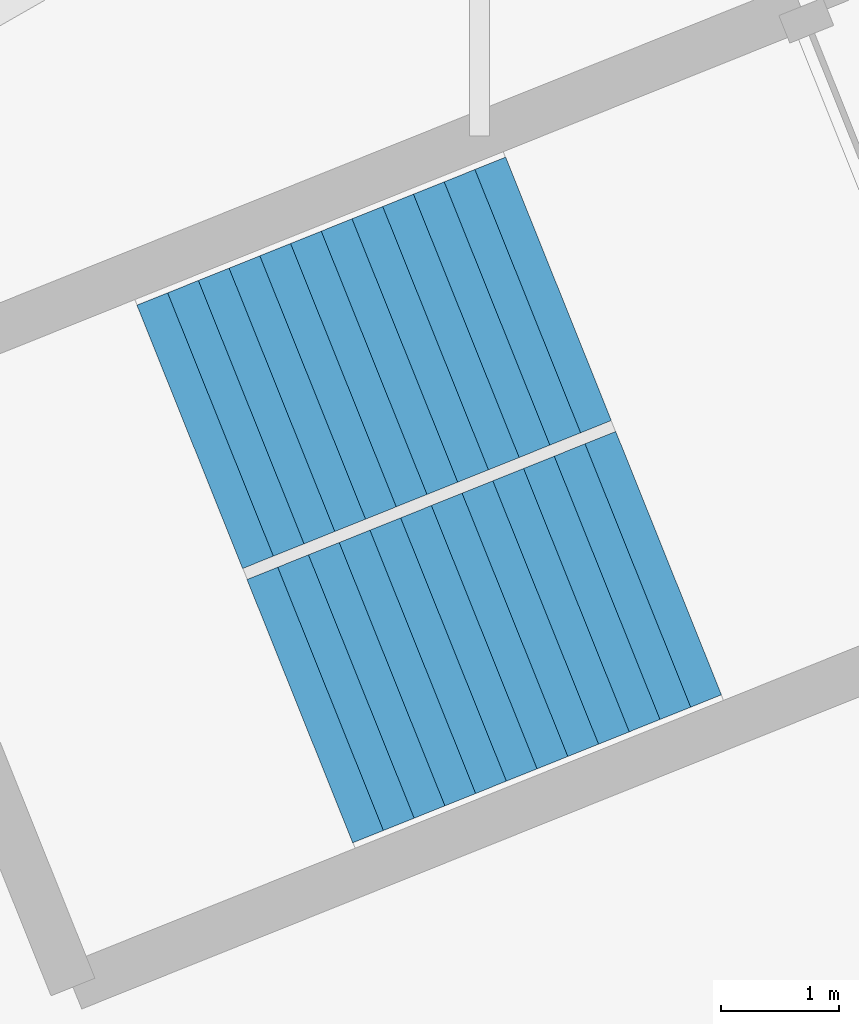
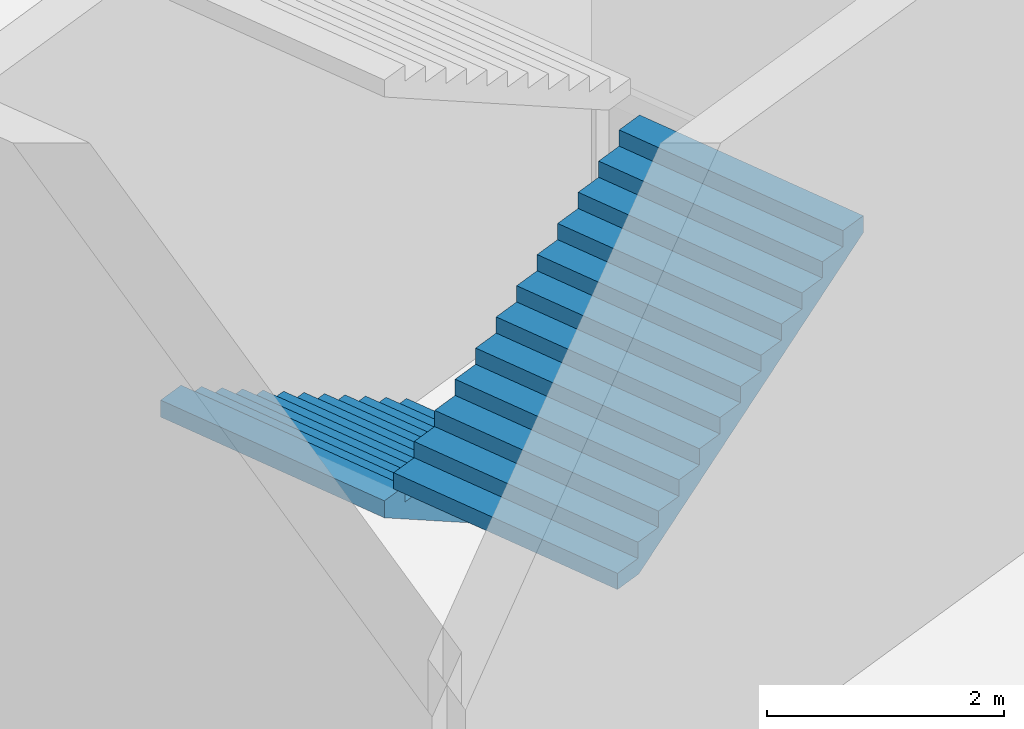
# One storey, part 44 of 47: 2 stair flights, 1 element without a shape of its own.
"""IFC4 building model written with IfcOpenShell, lengths in metres."""

from ifc_helpers import new_model, si_unit, direction, frame, origin, place, context, subcontext, project, spatial, triangles, material, type_object, element, aggregate, save


model = new_model("IFC4")

# Units and contexts
model_context = context("Model", 3, precision=1e-05, world=origin(), true_north=direction((0.0, 1.0)))
body_context = subcontext(model_context, "Body", "Model", "MODEL_VIEW")
ifc_project = project(units=[si_unit("LENGTHUNIT", "METRE"), si_unit("AREAUNIT", "SQUARE_METRE"), si_unit("VOLUMEUNIT", "CUBIC_METRE"), si_unit("PLANEANGLEUNIT", "RADIAN"), si_unit("MASSUNIT", "GRAM", prefix="KILO")], contexts=[model_context])

# Site, building, storey
site_placement = place(None, origin())
site = spatial("IfcSite", under=ifc_project, at=site_placement, CompositionType="ELEMENT")
building_placement = place(site_placement, origin())
building = spatial("IfcBuilding", under=site, at=building_placement, Name="Lantaw Convention Tower", CompositionType="ELEMENT")
storey_placement = place(building_placement, origin())
storey = spatial("IfcBuildingStorey", under=building, at=storey_placement, Name="L00", CompositionType="ELEMENT", Elevation=0.0)

# Stair, stair flights
ifc_material = material(Name="Concrete C35/45", Category="concrete")
stair_type = type_object("IfcStairType", Name="Exit stair 2400 riser 166.67 in 3 flights", PredefinedType="HALF_TURN_STAIR", material=ifc_material)
stair_placement = place(storey_placement, origin())
stair = element("IfcStair", 1, at=stair_placement, inside=storey, type_object=stair_type, Name="Podium exit stair P2 L00", PredefinedType="HALF_TURN_STAIR")
stair_flight_type = type_object("IfcStairFlightType", Name="Stair flight 2400 riser 166.67", PredefinedType="STRAIGHT", material=ifc_material)
stair_flight_1_placement = place(storey_placement, frame((38.917724609375, 16.969970703125, 0.0), z_axis=(0.0, 0.0, 1.0), x_axis=(-0.928015168305, -0.372542410198, 0.0)))
stair_flight_1 = element("IfcStairFlight", 2, at=stair_flight_1_placement, type_object=stair_flight_type, Name="P2 flight 1", NumberOfRisers=13, NumberOfTreads=12, PredefinedType="STRAIGHT", RiserHeight=0.166666667, TreadLength=0.28, context=body_context, shape_type="Tessellation", body=[
    triangles([(0.0, 1.199951171875, 0.0), (0.0, 1.199951171875, 0.166666667), (0.28, 1.199951171875, 0.0), (0.28, 1.199951171875, 0.166666667), (0.28, 1.199951171875, 0.333333334), (0.29307345806906815, 1.199951171875, 0.0), (0.29307345806906815, 1.199951171875, 0.333333334), (0.56, 1.199951171875, 0.15888484670522912), (0.56, 1.199951171875, 0.333333334), (0.56, 1.199951171875, 0.500000001), (0.8400000000000001, 1.199951171875, 0.3255515137052291), (0.8400000000000001, 1.199951171875, 0.500000001), (0.8400000000000001, 1.199951171875, 0.666666668), (1.12, 1.199951171875, 0.49221818070522905), (1.12, 1.199951171875, 0.666666668), (1.12, 1.199951171875, 0.833333335), (1.4000000000000001, 1.199951171875, 0.658884847705229), (1.4000000000000001, 1.199951171875, 0.833333335), (1.4000000000000001, 1.199951171875, 1.000000002), (1.6800000000000002, 1.199951171875, 0.825551514705229), (1.6800000000000002, 1.199951171875, 1.000000002), (1.6800000000000002, 1.199951171875, 1.166666669), (1.9600000000000002, 1.199951171875, 0.992218181705229), (1.9600000000000002, 1.199951171875, 1.166666669), (1.9600000000000002, 1.199951171875, 1.333333336), (2.24, 1.199951171875, 1.158884848705229), (2.24, 1.199951171875, 1.333333336), (2.24, 1.199951171875, 1.5000000029999998), (2.5200000000000005, 1.199951171875, 1.325551515705229), (2.5200000000000005, 1.199951171875, 1.5000000029999998), (2.5200000000000005, 1.199951171875, 1.66666667), (2.8000000000000003, 1.199951171875, 1.492218182705229), (2.8000000000000003, 1.199951171875, 1.66666667), (2.8000000000000003, 1.199951171875, 1.833333337), (3.08, 1.199951171875, 1.6588848497052289), (3.08, 1.199951171875, 1.833333337), (3.08, 1.199951171875, 2.000000004), (3.3600000000000003, 1.199951171875, 1.825551516705229), (3.3600000000000003, 1.199951171875, 2.000000004), (0.0, -1.199951171875, 0.0), (0.0, -1.199951171875, 0.166666667), (0.28, -1.199951171875, 0.0), (0.28, -1.199951171875, 0.166666667), (0.28, -1.199951171875, 0.333333334), (0.29307345806906815, -1.199951171875, 0.0), (0.29307345806906815, -1.199951171875, 0.333333334), (0.56, -1.199951171875, 0.15888484670522912), (0.56, -1.199951171875, 0.333333334), (0.56, -1.199951171875, 0.500000001), (0.8400000000000001, -1.199951171875, 0.3255515137052291), (0.8400000000000001, -1.199951171875, 0.500000001), (0.8400000000000001, -1.199951171875, 0.666666668), (1.12, -1.199951171875, 0.49221818070522905), (1.12, -1.199951171875, 0.666666668), (1.12, -1.199951171875, 0.833333335), (1.4000000000000001, -1.199951171875, 0.658884847705229), (1.4000000000000001, -1.199951171875, 0.833333335), (1.4000000000000001, -1.199951171875, 1.000000002), (1.6800000000000002, -1.199951171875, 0.825551514705229), (1.6800000000000002, -1.199951171875, 1.000000002), (1.6800000000000002, -1.199951171875, 1.166666669), (1.9600000000000002, -1.199951171875, 0.992218181705229), (1.9600000000000002, -1.199951171875, 1.166666669), (1.9600000000000002, -1.199951171875, 1.333333336), (2.24, -1.199951171875, 1.158884848705229), (2.24, -1.199951171875, 1.333333336), (2.24, -1.199951171875, 1.5000000029999998), (2.5200000000000005, -1.199951171875, 1.325551515705229), (2.5200000000000005, -1.199951171875, 1.5000000029999998), (2.5200000000000005, -1.199951171875, 1.66666667), (2.8000000000000003, -1.199951171875, 1.492218182705229), (2.8000000000000003, -1.199951171875, 1.66666667), (2.8000000000000003, -1.199951171875, 1.833333337), (3.08, -1.199951171875, 1.6588848497052289), (3.08, -1.199951171875, 1.833333337), (3.08, -1.199951171875, 2.000000004), (3.3600000000000003, -1.199951171875, 1.825551516705229), (3.3600000000000003, -1.199951171875, 2.000000004), (0.0, 0.239990234375, 0.166666667), (0.0, 0.239990234375, 0.0), (0.0, 0.0, 0.166666667), (0.0, 0.0, 0.0), (0.0, -0.239990234375, 0.166666667), (0.0, -0.239990234375, 0.0), (0.28, 0.239990234375, 0.333333334), (0.28, 0.239990234375, 0.166666667), (0.28, 0.0, 0.333333334), (0.28, 0.0, 0.166666667), (0.28, -0.239990234375, 0.333333334), (0.28, -0.239990234375, 0.166666667), (0.56, 0.239990234375, 0.500000001), (0.56, 0.239990234375, 0.333333334), (0.56, 0.0, 0.500000001), (0.56, 0.0, 0.333333334), (0.56, -0.239990234375, 0.500000001), (0.56, -0.239990234375, 0.333333334), (0.8400000000000001, 0.239990234375, 0.666666668), (0.8400000000000001, 0.239990234375, 0.500000001), (0.8400000000000001, 0.0, 0.666666668), (0.8400000000000001, 0.0, 0.500000001), (0.8400000000000001, -0.239990234375, 0.666666668), (0.8400000000000001, -0.239990234375, 0.500000001), (1.12, 0.239990234375, 0.833333335), (1.12, 0.239990234375, 0.666666668), (1.12, 0.0, 0.833333335), (1.12, 0.0, 0.666666668), (1.12, -0.239990234375, 0.833333335), (1.12, -0.239990234375, 0.666666668), (1.4000000000000001, 0.239990234375, 1.000000002), (1.4000000000000001, 0.239990234375, 0.833333335), (1.4000000000000001, 0.0, 1.000000002), (1.4000000000000001, 0.0, 0.833333335), (1.4000000000000001, -0.239990234375, 1.000000002), (1.4000000000000001, -0.239990234375, 0.833333335), (1.6800000000000002, 0.239990234375, 1.166666669), (1.6800000000000002, 0.239990234375, 1.000000002), (1.6800000000000002, 0.0, 1.166666669), (1.6800000000000002, 0.0, 1.000000002), (1.6800000000000002, -0.239990234375, 1.166666669), (1.6800000000000002, -0.239990234375, 1.000000002), (1.9600000000000002, 0.239990234375, 1.333333336), (1.9600000000000002, 0.239990234375, 1.166666669), (1.9600000000000002, 0.0, 1.333333336), (1.9600000000000002, 0.0, 1.166666669), (1.9600000000000002, -0.239990234375, 1.333333336), (1.9600000000000002, -0.239990234375, 1.166666669), (2.24, 0.239990234375, 1.5000000029999998), (2.24, 0.239990234375, 1.333333336), (2.24, 0.0, 1.5000000029999998), (2.24, 0.0, 1.333333336), (2.24, -0.239990234375, 1.5000000029999998), (2.24, -0.239990234375, 1.333333336), (2.5200000000000005, 0.239990234375, 1.66666667), (2.5200000000000005, 0.239990234375, 1.5000000029999998), (2.5200000000000005, 0.0, 1.66666667), (2.5200000000000005, 0.0, 1.5000000029999998), (2.5200000000000005, -0.239990234375, 1.66666667), (2.5200000000000005, -0.239990234375, 1.5000000029999998), (2.8000000000000003, 0.239990234375, 1.833333337), (2.8000000000000003, 0.239990234375, 1.66666667), (2.8000000000000003, 0.0, 1.833333337), (2.8000000000000003, 0.0, 1.66666667), (2.8000000000000003, -0.239990234375, 1.833333337), (2.8000000000000003, -0.239990234375, 1.66666667), (3.08, 0.239990234375, 2.000000004), (3.08, 0.239990234375, 1.833333337), (3.08, 0.0, 2.000000004), (3.08, 0.0, 1.833333337), (3.08, -0.239990234375, 2.000000004), (3.08, -0.239990234375, 1.833333337), (0.29307345806906815, 0.239990234375, 0.333333334), (0.29307345806906815, 0.0, 0.333333334), (0.29307345806906815, -0.239990234375, 0.333333334), (3.3600000000000003, 0.239990234375, 2.000000004), (3.3600000000000003, 0.0, 2.000000004), (3.3600000000000003, -0.239990234375, 2.000000004), (3.3600000000000003, 0.239990234375, 1.8255515167052292), (3.3600000000000003, 0.0, 1.8255515167052292), (3.3600000000000003, -0.239990234375, 1.8255515167052292), (3.08, 0.239990234375, 1.6588848497052289), (3.08, 0.0, 1.6588848497052289), (3.08, -0.239990234375, 1.6588848497052289), (2.8000000000000003, 0.239990234375, 1.492218182705229), (2.8000000000000003, 0.0, 1.492218182705229), (2.8000000000000003, -0.239990234375, 1.492218182705229), (2.5200000000000005, 0.239990234375, 1.325551515705229), (2.5200000000000005, 0.0, 1.325551515705229), (2.5200000000000005, -0.239990234375, 1.325551515705229), (2.24, 0.239990234375, 1.158884848705229), (2.24, 0.0, 1.158884848705229), (2.24, -0.239990234375, 1.158884848705229), (1.9600000000000002, 0.239990234375, 0.992218181705229), (1.9600000000000002, 0.0, 0.992218181705229), (1.9600000000000002, -0.239990234375, 0.992218181705229), (1.6800000000000002, 0.239990234375, 0.825551514705229), (1.6800000000000002, 0.0, 0.825551514705229), (1.6800000000000002, -0.239990234375, 0.825551514705229), (1.4000000000000001, 0.239990234375, 0.658884847705229), (1.4000000000000001, 0.0, 0.658884847705229), (1.4000000000000001, -0.239990234375, 0.658884847705229), (1.12, 0.239990234375, 0.49221818070522905), (1.12, 0.0, 0.49221818070522905), (1.12, -0.239990234375, 0.49221818070522905), (0.8400000000000001, 0.239990234375, 0.3255515137052291), (0.8400000000000001, 0.0, 0.3255515137052291), (0.8400000000000001, -0.239990234375, 0.3255515137052291), (0.56, 0.239990234375, 0.15888484670522912), (0.56, 0.0, 0.15888484670522912), (0.56, -0.239990234375, 0.15888484670522912), (0.29307345806906815, 0.239990234375, 0.0), (0.29307345806906815, 0.0, 0.0), (0.29307345806906815, -0.239990234375, 0.0), (0.28, 0.239990234375, 0.0), (0.28, 0.0, 0.0), (0.28, -0.239990234375, 0.0)], [[1, 4, 3], [1, 2, 4], [3, 4, 6], [4, 7, 6], [4, 5, 7], [6, 9, 8], [6, 7, 9], [8, 9, 11], [9, 12, 11], [9, 10, 12], [11, 12, 14], [12, 15, 14], [12, 13, 15], [14, 15, 17], [15, 18, 17], [15, 16, 18], [17, 18, 20], [18, 21, 20], [18, 19, 21], [20, 21, 23], [21, 24, 23], [21, 22, 24], [23, 24, 26], [24, 27, 26], [24, 25, 27], [26, 27, 29], [27, 30, 29], [27, 28, 30], [29, 30, 32], [30, 33, 32], [30, 31, 33], [32, 33, 35], [33, 36, 35], [33, 34, 36], [35, 36, 38], [36, 39, 38], [36, 37, 39], [40, 42, 43], [40, 43, 41], [42, 45, 43], [43, 45, 46], [43, 46, 44], [45, 47, 48], [45, 48, 46], [47, 50, 48], [48, 50, 51], [48, 51, 49], [50, 53, 51], [51, 53, 54], [51, 54, 52], [53, 56, 54], [54, 56, 57], [54, 57, 55], [56, 59, 57], [57, 59, 60], [57, 60, 58], [59, 62, 60], [60, 62, 63], [60, 63, 61], [62, 65, 63], [63, 65, 66], [63, 66, 64], [65, 68, 66], [66, 68, 69], [66, 69, 67], [68, 71, 69], [69, 71, 72], [69, 72, 70], [71, 74, 72], [72, 74, 75], [72, 75, 73], [74, 77, 75], [75, 77, 78], [75, 78, 76], [1, 79, 2], [1, 80, 79], [80, 81, 79], [80, 82, 81], [82, 83, 81], [82, 84, 83], [84, 41, 83], [84, 40, 41], [4, 85, 5], [4, 86, 85], [86, 87, 85], [86, 88, 87], [88, 89, 87], [88, 90, 89], [90, 44, 89], [90, 43, 44], [9, 91, 10], [9, 92, 91], [92, 93, 91], [92, 94, 93], [94, 95, 93], [94, 96, 95], [96, 49, 95], [96, 48, 49], [12, 97, 13], [12, 98, 97], [98, 99, 97], [98, 100, 99], [100, 101, 99], [100, 102, 101], [102, 52, 101], [102, 51, 52], [15, 103, 16], [15, 104, 103], [104, 105, 103], [104, 106, 105], [106, 107, 105], [106, 108, 107], [108, 55, 107], [108, 54, 55], [18, 109, 19], [18, 110, 109], [110, 111, 109], [110, 112, 111], [112, 113, 111], [112, 114, 113], [114, 58, 113], [114, 57, 58], [21, 115, 22], [21, 116, 115], [116, 117, 115], [116, 118, 117], [118, 119, 117], [118, 120, 119], [120, 61, 119], [120, 60, 61], [24, 121, 25], [24, 122, 121], [122, 123, 121], [122, 124, 123], [124, 125, 123], [124, 126, 125], [126, 64, 125], [126, 63, 64], [27, 127, 28], [27, 128, 127], [128, 129, 127], [128, 130, 129], [130, 131, 129], [130, 132, 131], [132, 67, 131], [132, 66, 67], [30, 133, 31], [30, 134, 133], [134, 135, 133], [134, 136, 135], [136, 137, 135], [136, 138, 137], [138, 70, 137], [138, 69, 70], [33, 139, 34], [33, 140, 139], [140, 141, 139], [140, 142, 141], [142, 143, 141], [142, 144, 143], [144, 73, 143], [144, 72, 73], [36, 145, 37], [36, 146, 145], [146, 147, 145], [146, 148, 147], [148, 149, 147], [148, 150, 149], [150, 76, 149], [150, 75, 76], [2, 86, 4], [2, 79, 86], [79, 88, 86], [79, 81, 88], [81, 90, 88], [81, 83, 90], [83, 43, 90], [83, 41, 43], [5, 151, 7], [5, 85, 151], [85, 152, 151], [85, 87, 152], [87, 153, 152], [87, 89, 153], [89, 46, 153], [89, 44, 46], [7, 92, 9], [7, 151, 92], [151, 94, 92], [151, 152, 94], [152, 96, 94], [152, 153, 96], [153, 48, 96], [153, 46, 48], [10, 98, 12], [10, 91, 98], [91, 100, 98], [91, 93, 100], [93, 102, 100], [93, 95, 102], [95, 51, 102], [95, 49, 51], [13, 104, 15], [13, 97, 104], [97, 106, 104], [97, 99, 106], [99, 108, 106], [99, 101, 108], [101, 54, 108], [101, 52, 54], [16, 110, 18], [16, 103, 110], [103, 112, 110], [103, 105, 112], [105, 114, 112], [105, 107, 114], [107, 57, 114], [107, 55, 57], [19, 116, 21], [19, 109, 116], [109, 118, 116], [109, 111, 118], [111, 120, 118], [111, 113, 120], [113, 60, 120], [113, 58, 60], [22, 122, 24], [22, 115, 122], [115, 124, 122], [115, 117, 124], [117, 126, 124], [117, 119, 126], [119, 63, 126], [119, 61, 63], [25, 128, 27], [25, 121, 128], [121, 130, 128], [121, 123, 130], [123, 132, 130], [123, 125, 132], [125, 66, 132], [125, 64, 66], [28, 134, 30], [28, 127, 134], [127, 136, 134], [127, 129, 136], [129, 138, 136], [129, 131, 138], [131, 69, 138], [131, 67, 69], [31, 140, 33], [31, 133, 140], [133, 142, 140], [133, 135, 142], [135, 144, 142], [135, 137, 144], [137, 72, 144], [137, 70, 72], [34, 146, 36], [34, 139, 146], [139, 148, 146], [139, 141, 148], [141, 150, 148], [141, 143, 150], [143, 75, 150], [143, 73, 75], [37, 154, 39], [37, 145, 154], [145, 155, 154], [145, 147, 155], [147, 156, 155], [147, 149, 156], [149, 78, 156], [149, 76, 78], [39, 157, 38], [39, 154, 157], [154, 158, 157], [154, 155, 158], [155, 159, 158], [155, 156, 159], [156, 77, 159], [156, 78, 77], [38, 160, 35], [38, 157, 160], [157, 161, 160], [157, 158, 161], [158, 162, 161], [158, 159, 162], [159, 74, 162], [159, 77, 74], [35, 163, 32], [35, 160, 163], [160, 164, 163], [160, 161, 164], [161, 165, 164], [161, 162, 165], [162, 71, 165], [162, 74, 71], [32, 166, 29], [32, 163, 166], [163, 167, 166], [163, 164, 167], [164, 168, 167], [164, 165, 168], [165, 68, 168], [165, 71, 68], [29, 169, 26], [29, 166, 169], [166, 170, 169], [166, 167, 170], [167, 171, 170], [167, 168, 171], [168, 65, 171], [168, 68, 65], [26, 172, 23], [26, 169, 172], [169, 173, 172], [169, 170, 173], [170, 174, 173], [170, 171, 174], [171, 62, 174], [171, 65, 62], [23, 175, 20], [23, 172, 175], [172, 176, 175], [172, 173, 176], [173, 177, 176], [173, 174, 177], [174, 59, 177], [174, 62, 59], [20, 178, 17], [20, 175, 178], [175, 179, 178], [175, 176, 179], [176, 180, 179], [176, 177, 180], [177, 56, 180], [177, 59, 56], [17, 181, 14], [17, 178, 181], [178, 182, 181], [178, 179, 182], [179, 183, 182], [179, 180, 183], [180, 53, 183], [180, 56, 53], [14, 184, 11], [14, 181, 184], [181, 185, 184], [181, 182, 185], [182, 186, 185], [182, 183, 186], [183, 50, 186], [183, 53, 50], [11, 187, 8], [11, 184, 187], [184, 188, 187], [184, 185, 188], [185, 189, 188], [185, 186, 189], [186, 47, 189], [186, 50, 47], [8, 190, 6], [8, 187, 190], [187, 191, 190], [187, 188, 191], [188, 192, 191], [188, 189, 192], [189, 45, 192], [189, 47, 45], [6, 193, 3], [6, 190, 193], [190, 194, 193], [190, 191, 194], [191, 195, 194], [191, 192, 195], [192, 42, 195], [192, 45, 42], [3, 80, 1], [3, 193, 80], [193, 82, 80], [193, 194, 82], [194, 84, 82], [194, 195, 84], [195, 40, 84], [195, 42, 40]], closed=True),
])
stair_flight_2_placement = place(storey_placement, frame((36.730712890625, 13.398193359375, 2.166748046875), z_axis=(0.0, 0.0, 1.0), x_axis=(0.928015168305, 0.372542410198, 0.0)))
stair_flight_2 = element("IfcStairFlight", 3, at=stair_flight_2_placement, type_object=stair_flight_type, Name="P2 flight 2", NumberOfRisers=13, NumberOfTreads=12, PredefinedType="STRAIGHT", RiserHeight=0.166666667, TreadLength=0.28, context=body_context, shape_type="Tessellation", body=[
    triangles([(0.0, 1.199951171875, 0.0), (0.0, 1.199951171875, 0.166666667), (0.28, 1.199951171875, 0.0), (0.28, 1.199951171875, 0.166666667), (0.28, 1.199951171875, 0.333333334), (0.29307345806906815, 1.199951171875, 0.0), (0.29307345806906815, 1.199951171875, 0.333333334), (0.56, 1.199951171875, 0.15888484670522912), (0.56, 1.199951171875, 0.333333334), (0.56, 1.199951171875, 0.500000001), (0.8400000000000001, 1.199951171875, 0.3255515137052291), (0.8400000000000001, 1.199951171875, 0.500000001), (0.8400000000000001, 1.199951171875, 0.666666668), (1.12, 1.199951171875, 0.49221818070522905), (1.12, 1.199951171875, 0.666666668), (1.12, 1.199951171875, 0.833333335), (1.4000000000000001, 1.199951171875, 0.658884847705229), (1.4000000000000001, 1.199951171875, 0.833333335), (1.4000000000000001, 1.199951171875, 1.000000002), (1.6800000000000002, 1.199951171875, 0.825551514705229), (1.6800000000000002, 1.199951171875, 1.000000002), (1.6800000000000002, 1.199951171875, 1.166666669), (1.9600000000000002, 1.199951171875, 0.992218181705229), (1.9600000000000002, 1.199951171875, 1.166666669), (1.9600000000000002, 1.199951171875, 1.333333336), (2.24, 1.199951171875, 1.158884848705229), (2.24, 1.199951171875, 1.333333336), (2.24, 1.199951171875, 1.5000000029999998), (2.5200000000000005, 1.199951171875, 1.325551515705229), (2.5200000000000005, 1.199951171875, 1.5000000029999998), (2.5200000000000005, 1.199951171875, 1.66666667), (2.8000000000000003, 1.199951171875, 1.492218182705229), (2.8000000000000003, 1.199951171875, 1.66666667), (2.8000000000000003, 1.199951171875, 1.833333337), (3.08, 1.199951171875, 1.6588848497052289), (3.08, 1.199951171875, 1.833333337), (3.08, 1.199951171875, 2.000000004), (3.3600000000000003, 1.199951171875, 1.825551516705229), (3.3600000000000003, 1.199951171875, 2.000000004), (0.0, -1.199951171875, 0.0), (0.0, -1.199951171875, 0.166666667), (0.28, -1.199951171875, 0.0), (0.28, -1.199951171875, 0.166666667), (0.28, -1.199951171875, 0.333333334), (0.29307345806906815, -1.199951171875, 0.0), (0.29307345806906815, -1.199951171875, 0.333333334), (0.56, -1.199951171875, 0.15888484670522912), (0.56, -1.199951171875, 0.333333334), (0.56, -1.199951171875, 0.500000001), (0.8400000000000001, -1.199951171875, 0.3255515137052291), (0.8400000000000001, -1.199951171875, 0.500000001), (0.8400000000000001, -1.199951171875, 0.666666668), (1.12, -1.199951171875, 0.49221818070522905), (1.12, -1.199951171875, 0.666666668), (1.12, -1.199951171875, 0.833333335), (1.4000000000000001, -1.199951171875, 0.658884847705229), (1.4000000000000001, -1.199951171875, 0.833333335), (1.4000000000000001, -1.199951171875, 1.000000002), (1.6800000000000002, -1.199951171875, 0.825551514705229), (1.6800000000000002, -1.199951171875, 1.000000002), (1.6800000000000002, -1.199951171875, 1.166666669), (1.9600000000000002, -1.199951171875, 0.992218181705229), (1.9600000000000002, -1.199951171875, 1.166666669), (1.9600000000000002, -1.199951171875, 1.333333336), (2.24, -1.199951171875, 1.158884848705229), (2.24, -1.199951171875, 1.333333336), (2.24, -1.199951171875, 1.5000000029999998), (2.5200000000000005, -1.199951171875, 1.325551515705229), (2.5200000000000005, -1.199951171875, 1.5000000029999998), (2.5200000000000005, -1.199951171875, 1.66666667), (2.8000000000000003, -1.199951171875, 1.492218182705229), (2.8000000000000003, -1.199951171875, 1.66666667), (2.8000000000000003, -1.199951171875, 1.833333337), (3.08, -1.199951171875, 1.6588848497052289), (3.08, -1.199951171875, 1.833333337), (3.08, -1.199951171875, 2.000000004), (3.3600000000000003, -1.199951171875, 1.825551516705229), (3.3600000000000003, -1.199951171875, 2.000000004), (0.0, 0.239990234375, 0.166666667), (0.0, 0.239990234375, 0.0), (0.0, 0.0, 0.166666667), (0.0, 0.0, 0.0), (0.0, -0.239990234375, 0.166666667), (0.0, -0.239990234375, 0.0), (0.28, 0.239990234375, 0.333333334), (0.28, 0.239990234375, 0.166666667), (0.28, 0.0, 0.333333334), (0.28, 0.0, 0.166666667), (0.28, -0.239990234375, 0.333333334), (0.28, -0.239990234375, 0.166666667), (0.56, 0.239990234375, 0.500000001), (0.56, 0.239990234375, 0.333333334), (0.56, 0.0, 0.500000001), (0.56, 0.0, 0.333333334), (0.56, -0.239990234375, 0.500000001), (0.56, -0.239990234375, 0.333333334), (0.8400000000000001, 0.239990234375, 0.666666668), (0.8400000000000001, 0.239990234375, 0.500000001), (0.8400000000000001, 0.0, 0.666666668), (0.8400000000000001, 0.0, 0.500000001), (0.8400000000000001, -0.239990234375, 0.666666668), (0.8400000000000001, -0.239990234375, 0.500000001), (1.12, 0.239990234375, 0.833333335), (1.12, 0.239990234375, 0.666666668), (1.12, 0.0, 0.833333335), (1.12, 0.0, 0.666666668), (1.12, -0.239990234375, 0.833333335), (1.12, -0.239990234375, 0.666666668), (1.4000000000000001, 0.239990234375, 1.000000002), (1.4000000000000001, 0.239990234375, 0.833333335), (1.4000000000000001, 0.0, 1.000000002), (1.4000000000000001, 0.0, 0.833333335), (1.4000000000000001, -0.239990234375, 1.000000002), (1.4000000000000001, -0.239990234375, 0.833333335), (1.6800000000000002, 0.239990234375, 1.166666669), (1.6800000000000002, 0.239990234375, 1.000000002), (1.6800000000000002, 0.0, 1.166666669), (1.6800000000000002, 0.0, 1.000000002), (1.6800000000000002, -0.239990234375, 1.166666669), (1.6800000000000002, -0.239990234375, 1.000000002), (1.9600000000000002, 0.239990234375, 1.333333336), (1.9600000000000002, 0.239990234375, 1.166666669), (1.9600000000000002, 0.0, 1.333333336), (1.9600000000000002, 0.0, 1.166666669), (1.9600000000000002, -0.239990234375, 1.333333336), (1.9600000000000002, -0.239990234375, 1.166666669), (2.24, 0.239990234375, 1.5000000029999998), (2.24, 0.239990234375, 1.333333336), (2.24, 0.0, 1.5000000029999998), (2.24, 0.0, 1.333333336), (2.24, -0.239990234375, 1.5000000029999998), (2.24, -0.239990234375, 1.333333336), (2.5200000000000005, 0.239990234375, 1.66666667), (2.5200000000000005, 0.239990234375, 1.5000000029999998), (2.5200000000000005, 0.0, 1.66666667), (2.5200000000000005, 0.0, 1.5000000029999998), (2.5200000000000005, -0.239990234375, 1.66666667), (2.5200000000000005, -0.239990234375, 1.5000000029999998), (2.8000000000000003, 0.239990234375, 1.833333337), (2.8000000000000003, 0.239990234375, 1.66666667), (2.8000000000000003, 0.0, 1.833333337), (2.8000000000000003, 0.0, 1.66666667), (2.8000000000000003, -0.239990234375, 1.833333337), (2.8000000000000003, -0.239990234375, 1.66666667), (3.08, 0.239990234375, 2.000000004), (3.08, 0.239990234375, 1.833333337), (3.08, 0.0, 2.000000004), (3.08, 0.0, 1.833333337), (3.08, -0.239990234375, 2.000000004), (3.08, -0.239990234375, 1.833333337), (0.29307345806906815, 0.239990234375, 0.333333334), (0.29307345806906815, 0.0, 0.333333334), (0.29307345806906815, -0.239990234375, 0.333333334), (3.3600000000000003, 0.239990234375, 2.000000004), (3.3600000000000003, 0.0, 2.000000004), (3.3600000000000003, -0.239990234375, 2.000000004), (3.3600000000000003, 0.239990234375, 1.8255515167052292), (3.3600000000000003, 0.0, 1.8255515167052292), (3.3600000000000003, -0.239990234375, 1.8255515167052292), (3.08, 0.239990234375, 1.6588848497052289), (3.08, 0.0, 1.6588848497052289), (3.08, -0.239990234375, 1.6588848497052289), (2.8000000000000003, 0.239990234375, 1.492218182705229), (2.8000000000000003, 0.0, 1.492218182705229), (2.8000000000000003, -0.239990234375, 1.492218182705229), (2.5200000000000005, 0.239990234375, 1.325551515705229), (2.5200000000000005, 0.0, 1.325551515705229), (2.5200000000000005, -0.239990234375, 1.325551515705229), (2.24, 0.239990234375, 1.158884848705229), (2.24, 0.0, 1.158884848705229), (2.24, -0.239990234375, 1.158884848705229), (1.9600000000000002, 0.239990234375, 0.992218181705229), (1.9600000000000002, 0.0, 0.992218181705229), (1.9600000000000002, -0.239990234375, 0.992218181705229), (1.6800000000000002, 0.239990234375, 0.825551514705229), (1.6800000000000002, 0.0, 0.825551514705229), (1.6800000000000002, -0.239990234375, 0.825551514705229), (1.4000000000000001, 0.239990234375, 0.658884847705229), (1.4000000000000001, 0.0, 0.658884847705229), (1.4000000000000001, -0.239990234375, 0.658884847705229), (1.12, 0.239990234375, 0.49221818070522905), (1.12, 0.0, 0.49221818070522905), (1.12, -0.239990234375, 0.49221818070522905), (0.8400000000000001, 0.239990234375, 0.3255515137052291), (0.8400000000000001, 0.0, 0.3255515137052291), (0.8400000000000001, -0.239990234375, 0.3255515137052291), (0.56, 0.239990234375, 0.15888484670522912), (0.56, 0.0, 0.15888484670522912), (0.56, -0.239990234375, 0.15888484670522912), (0.29307345806906815, 0.239990234375, 0.0), (0.29307345806906815, 0.0, 0.0), (0.29307345806906815, -0.239990234375, 0.0), (0.28, 0.239990234375, 0.0), (0.28, 0.0, 0.0), (0.28, -0.239990234375, 0.0)], [[1, 4, 3], [1, 2, 4], [3, 4, 6], [4, 7, 6], [4, 5, 7], [6, 9, 8], [6, 7, 9], [8, 9, 11], [9, 12, 11], [9, 10, 12], [11, 12, 14], [12, 15, 14], [12, 13, 15], [14, 15, 17], [15, 18, 17], [15, 16, 18], [17, 18, 20], [18, 21, 20], [18, 19, 21], [20, 21, 23], [21, 24, 23], [21, 22, 24], [23, 24, 26], [24, 27, 26], [24, 25, 27], [26, 27, 29], [27, 30, 29], [27, 28, 30], [29, 30, 32], [30, 33, 32], [30, 31, 33], [32, 33, 35], [33, 36, 35], [33, 34, 36], [35, 36, 38], [36, 39, 38], [36, 37, 39], [40, 42, 43], [40, 43, 41], [42, 45, 43], [43, 45, 46], [43, 46, 44], [45, 47, 48], [45, 48, 46], [47, 50, 48], [48, 50, 51], [48, 51, 49], [50, 53, 51], [51, 53, 54], [51, 54, 52], [53, 56, 54], [54, 56, 57], [54, 57, 55], [56, 59, 57], [57, 59, 60], [57, 60, 58], [59, 62, 60], [60, 62, 63], [60, 63, 61], [62, 65, 63], [63, 65, 66], [63, 66, 64], [65, 68, 66], [66, 68, 69], [66, 69, 67], [68, 71, 69], [69, 71, 72], [69, 72, 70], [71, 74, 72], [72, 74, 75], [72, 75, 73], [74, 77, 75], [75, 77, 78], [75, 78, 76], [1, 79, 2], [1, 80, 79], [80, 81, 79], [80, 82, 81], [82, 83, 81], [82, 84, 83], [84, 41, 83], [84, 40, 41], [4, 85, 5], [4, 86, 85], [86, 87, 85], [86, 88, 87], [88, 89, 87], [88, 90, 89], [90, 44, 89], [90, 43, 44], [9, 91, 10], [9, 92, 91], [92, 93, 91], [92, 94, 93], [94, 95, 93], [94, 96, 95], [96, 49, 95], [96, 48, 49], [12, 97, 13], [12, 98, 97], [98, 99, 97], [98, 100, 99], [100, 101, 99], [100, 102, 101], [102, 52, 101], [102, 51, 52], [15, 103, 16], [15, 104, 103], [104, 105, 103], [104, 106, 105], [106, 107, 105], [106, 108, 107], [108, 55, 107], [108, 54, 55], [18, 109, 19], [18, 110, 109], [110, 111, 109], [110, 112, 111], [112, 113, 111], [112, 114, 113], [114, 58, 113], [114, 57, 58], [21, 115, 22], [21, 116, 115], [116, 117, 115], [116, 118, 117], [118, 119, 117], [118, 120, 119], [120, 61, 119], [120, 60, 61], [24, 121, 25], [24, 122, 121], [122, 123, 121], [122, 124, 123], [124, 125, 123], [124, 126, 125], [126, 64, 125], [126, 63, 64], [27, 127, 28], [27, 128, 127], [128, 129, 127], [128, 130, 129], [130, 131, 129], [130, 132, 131], [132, 67, 131], [132, 66, 67], [30, 133, 31], [30, 134, 133], [134, 135, 133], [134, 136, 135], [136, 137, 135], [136, 138, 137], [138, 70, 137], [138, 69, 70], [33, 139, 34], [33, 140, 139], [140, 141, 139], [140, 142, 141], [142, 143, 141], [142, 144, 143], [144, 73, 143], [144, 72, 73], [36, 145, 37], [36, 146, 145], [146, 147, 145], [146, 148, 147], [148, 149, 147], [148, 150, 149], [150, 76, 149], [150, 75, 76], [2, 86, 4], [2, 79, 86], [79, 88, 86], [79, 81, 88], [81, 90, 88], [81, 83, 90], [83, 43, 90], [83, 41, 43], [5, 151, 7], [5, 85, 151], [85, 152, 151], [85, 87, 152], [87, 153, 152], [87, 89, 153], [89, 46, 153], [89, 44, 46], [7, 92, 9], [7, 151, 92], [151, 94, 92], [151, 152, 94], [152, 96, 94], [152, 153, 96], [153, 48, 96], [153, 46, 48], [10, 98, 12], [10, 91, 98], [91, 100, 98], [91, 93, 100], [93, 102, 100], [93, 95, 102], [95, 51, 102], [95, 49, 51], [13, 104, 15], [13, 97, 104], [97, 106, 104], [97, 99, 106], [99, 108, 106], [99, 101, 108], [101, 54, 108], [101, 52, 54], [16, 110, 18], [16, 103, 110], [103, 112, 110], [103, 105, 112], [105, 114, 112], [105, 107, 114], [107, 57, 114], [107, 55, 57], [19, 116, 21], [19, 109, 116], [109, 118, 116], [109, 111, 118], [111, 120, 118], [111, 113, 120], [113, 60, 120], [113, 58, 60], [22, 122, 24], [22, 115, 122], [115, 124, 122], [115, 117, 124], [117, 126, 124], [117, 119, 126], [119, 63, 126], [119, 61, 63], [25, 128, 27], [25, 121, 128], [121, 130, 128], [121, 123, 130], [123, 132, 130], [123, 125, 132], [125, 66, 132], [125, 64, 66], [28, 134, 30], [28, 127, 134], [127, 136, 134], [127, 129, 136], [129, 138, 136], [129, 131, 138], [131, 69, 138], [131, 67, 69], [31, 140, 33], [31, 133, 140], [133, 142, 140], [133, 135, 142], [135, 144, 142], [135, 137, 144], [137, 72, 144], [137, 70, 72], [34, 146, 36], [34, 139, 146], [139, 148, 146], [139, 141, 148], [141, 150, 148], [141, 143, 150], [143, 75, 150], [143, 73, 75], [37, 154, 39], [37, 145, 154], [145, 155, 154], [145, 147, 155], [147, 156, 155], [147, 149, 156], [149, 78, 156], [149, 76, 78], [39, 157, 38], [39, 154, 157], [154, 158, 157], [154, 155, 158], [155, 159, 158], [155, 156, 159], [156, 77, 159], [156, 78, 77], [38, 160, 35], [38, 157, 160], [157, 161, 160], [157, 158, 161], [158, 162, 161], [158, 159, 162], [159, 74, 162], [159, 77, 74], [35, 163, 32], [35, 160, 163], [160, 164, 163], [160, 161, 164], [161, 165, 164], [161, 162, 165], [162, 71, 165], [162, 74, 71], [32, 166, 29], [32, 163, 166], [163, 167, 166], [163, 164, 167], [164, 168, 167], [164, 165, 168], [165, 68, 168], [165, 71, 68], [29, 169, 26], [29, 166, 169], [166, 170, 169], [166, 167, 170], [167, 171, 170], [167, 168, 171], [168, 65, 171], [168, 68, 65], [26, 172, 23], [26, 169, 172], [169, 173, 172], [169, 170, 173], [170, 174, 173], [170, 171, 174], [171, 62, 174], [171, 65, 62], [23, 175, 20], [23, 172, 175], [172, 176, 175], [172, 173, 176], [173, 177, 176], [173, 174, 177], [174, 59, 177], [174, 62, 59], [20, 178, 17], [20, 175, 178], [175, 179, 178], [175, 176, 179], [176, 180, 179], [176, 177, 180], [177, 56, 180], [177, 59, 56], [17, 181, 14], [17, 178, 181], [178, 182, 181], [178, 179, 182], [179, 183, 182], [179, 180, 183], [180, 53, 183], [180, 56, 53], [14, 184, 11], [14, 181, 184], [181, 185, 184], [181, 182, 185], [182, 186, 185], [182, 183, 186], [183, 50, 186], [183, 53, 50], [11, 187, 8], [11, 184, 187], [184, 188, 187], [184, 185, 188], [185, 189, 188], [185, 186, 189], [186, 47, 189], [186, 50, 47], [8, 190, 6], [8, 187, 190], [187, 191, 190], [187, 188, 191], [188, 192, 191], [188, 189, 192], [189, 45, 192], [189, 47, 45], [6, 193, 3], [6, 190, 193], [190, 194, 193], [190, 191, 194], [191, 195, 194], [191, 192, 195], [192, 42, 195], [192, 45, 42], [3, 80, 1], [3, 193, 80], [193, 82, 80], [193, 194, 82], [194, 84, 82], [194, 195, 84], [195, 40, 84], [195, 42, 40]], closed=True),
])
aggregate(stair, [stair_flight_1, stair_flight_2])

save(model, "model.ifc")
